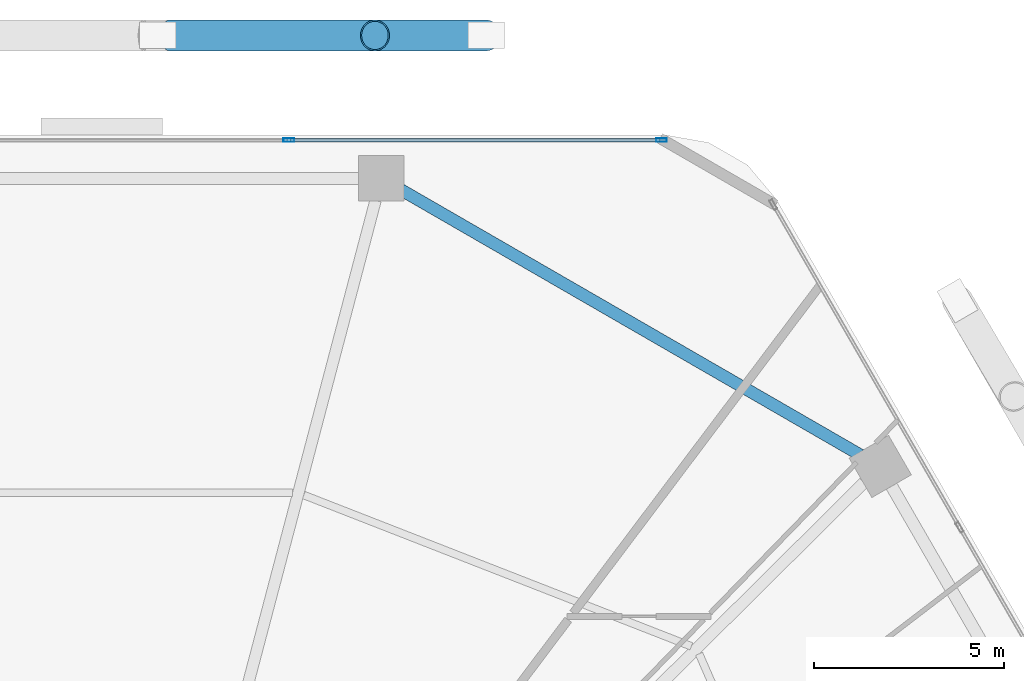
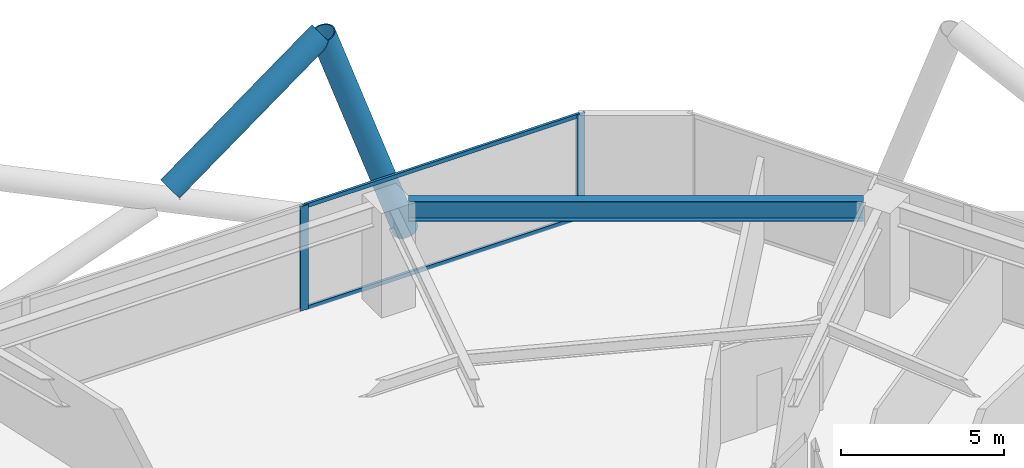
# One storey, part 21 of 30: 6 members, 1 beam, 1 element without a shape of its own.
"""IFC4 building model written with IfcOpenShell, lengths in metres."""

import ifcopenshell
import ifcopenshell.guid

model = None  # the IFC model being written
_history = None  # IfcOwnerHistory: only IFC2X3 demands one
_inside = {}  # id of a spatial element -> (the spatial element, [elements in it])
_under = {}  # id of a project, library or spatial element -> (it, [spatial elements below it])
_declared = {}  # id of a project -> (the project, [libraries it declares])
_typed = {}  # id of a type object -> (the type object, [elements of that type])
_made_of = {}  # id of a material, layer set ... -> (it, [elements and type objects made of it])


def new_model(schema):
    """Start an empty IFC model of exactly this schema.

    Asked for "IFC4X3", IfcOpenShell would pick the latest addendum, in which some entities
    have other attributes; the version numbers below select the first issue.
    IFC2X3 requires an IfcOwnerHistory on every rooted entity: one is made here for all.
    """
    global model, _history
    if schema == "IFC4X3":
        model = ifcopenshell.file(schema_version=(4, 3, 0, 0))
    else:
        model = ifcopenshell.file(schema=schema)
    _inside.clear()
    _under.clear()
    _declared.clear()
    _typed.clear()
    _made_of.clear()
    _history = None
    if model.schema == "IFC2X3":
        org = make("IfcOrganization", Name="unknown")
        user = make(
            "IfcPersonAndOrganization",
            ThePerson=make("IfcPerson", FamilyName="unknown"),
            TheOrganization=org,
        )
        app = make(
            "IfcApplication",
            ApplicationDeveloper=org,
            Version="unknown",
            ApplicationFullName="unknown",
            ApplicationIdentifier="unknown",
        )
        _history = make(
            "IfcOwnerHistory",
            OwningUser=user,
            OwningApplication=app,
            ChangeAction="ADDED",
            CreationDate=0,
        )
    return model


def make(cls, **values):
    """One entity of the class cls with the attributes given. An attribute that is None is left unset."""
    return model.create_entity(
        cls, **{name: value for name, value in values.items() if value is not None}
    )


def rooted(cls, **values):
    """An entity with a GlobalId (a new one), such as an element, a storey or a relation."""
    return make(cls, GlobalId=ifcopenshell.guid.new(), OwnerHistory=_history, **values)


def si_unit(unit_type, name, prefix=None):
    """IfcSIUnit, for example si_unit("LENGTHUNIT", "METRE", prefix="MILLI")."""
    return make("IfcSIUnit", UnitType=unit_type, Prefix=prefix, Name=name)


def assignment(units):
    """IfcUnitAssignment: the units of a project."""
    return None if units is None else make("IfcUnitAssignment", Units=units)


def point(xyz):
    """IfcCartesianPoint."""
    return None if xyz is None else make("IfcCartesianPoint", Coordinates=xyz)


def direction(xyz):
    """IfcDirection."""
    return None if xyz is None else make("IfcDirection", DirectionRatios=xyz)


def frame(location, z_axis=None, x_axis=None):
    """IfcAxis2Placement3D, a coordinate frame: its origin and axes. An axis left out is left unset."""
    return make(
        "IfcAxis2Placement3D",
        Location=point(location),
        Axis=direction(z_axis),
        RefDirection=direction(x_axis),
    )


def frame_2d(location, x_axis=None):
    """IfcAxis2Placement2D, a coordinate frame in the plane: its origin and x axis."""
    return make(
        "IfcAxis2Placement2D", Location=point(location), RefDirection=direction(x_axis)
    )


def origin():
    """The frame at (0, 0, 0) with its axes left unset."""
    return frame((0.0, 0.0, 0.0))


def origin_2d():
    """The frame at (0, 0) in the plane with its x axis left unset."""
    return frame_2d((0.0, 0.0))


def place(relative_to, where):
    """IfcLocalPlacement: puts the frame where relative to a parent placement (None: the world)."""
    return make(
        "IfcLocalPlacement", PlacementRelTo=relative_to, RelativePlacement=where
    )


def context(
    kind, dimensions, precision=None, world=None, true_north=None, identifier=None
):
    """IfcGeometricRepresentationContext, for example the 3D "Model" context."""
    return make(
        "IfcGeometricRepresentationContext",
        ContextIdentifier=identifier,
        ContextType=kind,
        CoordinateSpaceDimension=dimensions,
        Precision=precision,
        WorldCoordinateSystem=world,
        TrueNorth=true_north,
    )


def subcontext(parent, identifier, kind, view, scale=None):
    """IfcGeometricRepresentationSubContext, for example "Body" below "Model"."""
    return make(
        "IfcGeometricRepresentationSubContext",
        ContextIdentifier=identifier,
        ContextType=kind,
        ParentContext=parent,
        TargetScale=scale,
        TargetView=view,
    )


def project(units=None, contexts=None):
    """IfcProject with its units and contexts."""
    return rooted(
        "IfcProject",
        Name="project",
        RepresentationContexts=contexts,
        UnitsInContext=assignment(units),
    )


def spatial(cls, under=None, at=None, **own):
    """A site, building, storey or space (cls), placed at a placement, below another one or the project."""
    s = rooted(cls, ObjectPlacement=at, **own)
    if under is not None:
        _under.setdefault(under.id(), (under, []))[1].append(s)
    return s


def profile(cls, at=None, kind="AREA", **sizes):
    """A parametric profile (cls). Its sizes go by their IFC names, for example OverallWidth=200.0."""
    return make(cls, ProfileType=kind, Position=at, **sizes)


def hollow_rectangle(**sizes):
    """IfcRectangleHollowProfileDef."""
    return profile("IfcRectangleHollowProfileDef", **sizes)


def hollow_circle(**sizes):
    """IfcCircleHollowProfileDef."""
    return profile("IfcCircleHollowProfileDef", **sizes)


def i_section(**sizes):
    """IfcIShapeProfileDef."""
    return profile("IfcIShapeProfileDef", **sizes)


def extrude(swept, where, along, depth):
    """IfcExtrudedAreaSolid: the profile swept, set in the frame where, extruded along a direction by depth."""
    return make(
        "IfcExtrudedAreaSolid",
        SweptArea=swept,
        Position=where,
        ExtrudedDirection=direction(along),
        Depth=depth,
    )


def shape(context_of_items, identifier, shape_type, items):
    """IfcShapeRepresentation: the items that make up one representation, for example the "Body"."""
    return make(
        "IfcShapeRepresentation",
        ContextOfItems=context_of_items,
        RepresentationIdentifier=identifier,
        RepresentationType=shape_type,
        Items=items,
    )


def material(Name=None, Category=None):
    """IfcMaterial."""
    return make("IfcMaterial", Name=Name, Category=Category)


def material_profile(
    of_material, cross_section, Name=None, Category=None, Priority=None
):
    """IfcMaterialProfile: a cross section and its material."""
    return make(
        "IfcMaterialProfile",
        Name=Name,
        Material=of_material,
        Profile=cross_section,
        Priority=Priority,
        Category=Category,
    )


def profile_set(profiles, Name=None, composite=None):
    """IfcMaterialProfileSet."""
    return make(
        "IfcMaterialProfileSet",
        Name=Name,
        MaterialProfiles=profiles,
        CompositeProfile=composite,
    )


def made_of(thing, what):
    """Note that an element or type object is made of a material, layer set ...; save() writes the relation."""
    if what is not None:
        _made_of.setdefault(what.id(), (what, []))[1].append(thing)
    return thing


def type_object(cls, material=None, **own):
    """A type object (cls), such as IfcWallType, which elements share."""
    return made_of(rooted(cls, **own), material)


def element(
    cls,
    number,
    at=None,
    inside=None,
    cuts=None,
    type_object=None,
    material=None,
    context=None,
    identifier="Body",
    shape_type=None,
    held_by="IfcProductDefinitionShape",
    body=None,
    shapes=None,
    **own,
):
    """One element of the class cls, such as IfcWall. Its Tag is "e" and its number.

    at: its placement. inside: the storey or other place that contains it. cuts: it is an
    opening in that element (IfcRelVoidsElement). A single representation is given by context,
    identifier, shape_type and body (its items); several are given by shapes. held_by: the class
    of the entity that holds the representations. save() writes the other relations.
    """
    e = rooted(cls, Tag="e%d" % number, ObjectPlacement=at, **own)
    if body is not None:
        shapes = [shape(context, identifier, shape_type, body)]
    if shapes is not None:
        e.Representation = make(held_by, Representations=shapes)
    if inside is not None:
        _inside.setdefault(inside.id(), (inside, []))[1].append(e)
    if cuts is not None:
        rooted(
            "IfcRelVoidsElement", RelatingBuildingElement=cuts, RelatedOpeningElement=e
        )
    if type_object is not None:
        _typed.setdefault(type_object.id(), (type_object, []))[1].append(e)
    return made_of(e, material)


def aggregate(whole, parts):
    """IfcRelAggregates: a whole, such as a stair, and the parts it consists of."""
    return rooted("IfcRelAggregates", RelatingObject=whole, RelatedObjects=parts)


def save(model, path):
    """Write the relations noted so far, then the file.

    IfcRelAggregates (storeys below a building ...), IfcRelContainedInSpatialStructure (elements
    in a storey), IfcRelDefinesByType, IfcRelAssociatesMaterial and IfcRelDeclares: one each for
    every whole, place, type object, material and project.
    """
    for whole, parts in _under.values():
        aggregate(whole, parts)
    for where, things in _inside.values():
        rooted(
            "IfcRelContainedInSpatialStructure",
            RelatedElements=things,
            RelatingStructure=where,
        )
    for kind, things in _typed.values():
        rooted("IfcRelDefinesByType", RelatedObjects=things, RelatingType=kind)
    for what, things in _made_of.values():
        rooted("IfcRelAssociatesMaterial", RelatedObjects=things, RelatingMaterial=what)
    for by, libraries in _declared.values():
        rooted("IfcRelDeclares", RelatingContext=by, RelatedDefinitions=libraries)
    model.write(path)


model = new_model("IFC4")

# Units and contexts
model_context = context("Model", 3, precision=1e-05, world=origin(), true_north=direction((0.0, 1.0)))
body_context = subcontext(model_context, "Body", "Model", "MODEL_VIEW")
ifc_project = project(units=[si_unit("LENGTHUNIT", "METRE"), si_unit("AREAUNIT", "SQUARE_METRE"), si_unit("VOLUMEUNIT", "CUBIC_METRE"), si_unit("PLANEANGLEUNIT", "RADIAN"), si_unit("MASSUNIT", "GRAM", prefix="KILO")], contexts=[model_context])

# Site, building, storey
site_placement = place(None, origin())
site = spatial("IfcSite", under=ifc_project, at=site_placement, CompositionType="ELEMENT")
building_placement = place(site_placement, origin())
building = spatial("IfcBuilding", under=site, at=building_placement, Name="Zuhravey Tower", CompositionType="ELEMENT")
storey_placement = place(building_placement, frame((0.0, 0.0, 58.199951171875)))
storey = spatial("IfcBuildingStorey", under=building, at=storey_placement, Name="L14", CompositionType="ELEMENT", Elevation=58.199951171875)

# Curtain wall, members
ifc_material_1 = material(Name="Thermally broken anodised aluminium", Category="aluminium")
curtain_wall_type = type_object("IfcCurtainWallType", Name="School Low-E Unitised Curtain Wall CW1", PredefinedType="NOTDEFINED", material=ifc_material_1)
curtain_wall_placement = place(storey_placement, origin())
curtain_wall = element("IfcCurtainWall", 1, at=curtain_wall_placement, inside=storey, type_object=curtain_wall_type, Name="L14 CW1 CW-L14-F2-1", PredefinedType="NOTDEFINED")
ifc_material_2 = material(Name="Anodised aluminium", Category="aluminium")
ifc_material_profile_1 = material_profile(ifc_material_2, hollow_rectangle(XDim=0.090087890625, YDim=0.284912109375, WallThickness=0.0048828125, at=origin_2d()), Name="ALU-RHS-90x285x5")
ifc_profile_set_1 = profile_set([ifc_material_profile_1], Name="Anodised aluminium")
member_type_1 = type_object("IfcMemberType", Name="Curtain-Wall Mullion 90x180", PredefinedType="MULLION", material=ifc_profile_set_1)
member_1_placement = place(storey_placement, frame((40.93310546875, 60.95849609375, 0.0), z_axis=(0.0, 0.0, 1.0), x_axis=(0.0, 1.0, 0.0)))
member_1 = element("IfcMember", 2, at=member_1_placement, type_object=member_type_1, Name="CW1 mullion 3", PredefinedType="MULLION", context=body_context, shape_type="SweptSolid", body=[
    extrude(hollow_rectangle(XDim=0.090087890625, YDim=0.284912109375, WallThickness=0.0048828125, at=origin_2d()), origin(), (0.0, 0.0, 1.0), 3.920166015625),
])
member_2_placement = place(storey_placement, frame((50.75439453125, 60.95849609375, 0.0), z_axis=(0.0, 0.0, 1.0), x_axis=(0.0, 1.0, 0.0)))
member_2 = element("IfcMember", 3, at=member_2_placement, type_object=member_type_1, Name="CW1 mullion 4", PredefinedType="MULLION", context=body_context, shape_type="SweptSolid", body=[
    extrude(hollow_rectangle(XDim=0.090087890625, YDim=0.284912109375, WallThickness=0.0048828125, at=origin_2d()), origin(), (0.0, 0.0, 1.0), 3.920166015625),
])
ifc_material_profile_2 = material_profile(ifc_material_2, hollow_rectangle(XDim=0.090087890625, YDim=0.14990234375, WallThickness=0.0048828125, at=origin_2d()), Name="ALU-RHS-90x150x5")
ifc_profile_set_2 = profile_set([ifc_material_profile_2], Name="Anodised aluminium")
member_type_2 = type_object("IfcMemberType", Name="Curtain-Wall Transom 90x150", PredefinedType="USERDEFINED", material=ifc_profile_set_2)
member_3_placement = place(storey_placement, frame((40.978271484375, 60.95849609375, 0.045166015625), z_axis=(1.0, 0.0, 0.0), x_axis=(0.0, 1.0, 0.0)))
member_3 = element("IfcMember", 4, at=member_3_placement, type_object=member_type_2, Name="CW1 transom 3.1", ObjectType="TRANSOM", PredefinedType="USERDEFINED", context=body_context, shape_type="SweptSolid", body=[
    extrude(hollow_rectangle(XDim=0.090087890625, YDim=0.14990234375, WallThickness=0.0048828125, at=origin_2d()), origin(), (0.0, 0.0, 1.0), 9.731201171875),
])
member_4_placement = place(storey_placement, frame((40.978271484375, 60.95849609375, 3.875), z_axis=(1.0, 0.0, 0.0), x_axis=(0.0, 1.0, 0.0)))
member_4 = element("IfcMember", 5, at=member_4_placement, type_object=member_type_2, Name="CW1 transom 3.2", ObjectType="TRANSOM", PredefinedType="USERDEFINED", context=body_context, shape_type="SweptSolid", body=[
    extrude(hollow_rectangle(XDim=0.090087890625, YDim=0.14990234375, WallThickness=0.0048828125, at=origin_2d()), origin(), (0.0, 0.0, 1.0), 9.731201171875),
])
aggregate(curtain_wall, [member_1, member_2, member_3, member_4])

# Members
ifc_material_3 = material(Name="Steel SM460", Category="steel")
ifc_material_profile_3 = material_profile(ifc_material_3, hollow_circle(Radius=0.406494140625, WallThickness=0.035888671875, at=origin_2d()), Name="CHS-812.8x36")
ifc_profile_set_3 = profile_set([ifc_material_profile_3], Name="Steel SM460")
member_type_3 = type_object("IfcMemberType", Name="Exoskeleton Zone 1 Diagrid CHS813x36", PredefinedType="BRACE", material=ifc_profile_set_3)
member_5_placement = place(storey_placement, frame((46.129150390625, 63.718505859375, -0.471923828125), z_axis=(-0.330642732694, 0.0, 0.943755997764), x_axis=(0.0, -1.0, 0.0)))
element("IfcMember", 6, at=member_5_placement, inside=storey, type_object=member_type_3, Name="L14 Face 2 Diagrid Brace 1", PredefinedType="BRACE", context=body_context, shape_type="SweptSolid", body=[
    extrude(hollow_circle(Radius=0.406494140625, WallThickness=0.035888671875, at=origin_2d()), origin(), (0.0, 0.0, 1.0), 8.85400390625),
])
member_6_placement = place(storey_placement, frame((37.791259765625, 63.718505859375, 3.940673828125), z_axis=(0.806163372301, 0.0, 0.59169300922), x_axis=(0.0, 1.0, 0.0)))
element("IfcMember", 7, at=member_6_placement, inside=storey, type_object=member_type_3, Name="L14 Face 2 Split Diagrid Brace 3B", PredefinedType="BRACE", context=body_context, shape_type="SweptSolid", body=[
    extrude(hollow_circle(Radius=0.406494140625, WallThickness=0.035888671875, at=origin_2d()), origin(), (0.0, 0.0, 1.0), 6.6513671875),
])

# Beam
ifc_material_4 = material(Name="Steel SM355", Category="steel")
ifc_material_profile_4 = material_profile(ifc_material_4, i_section(OverallWidth=0.320068359375, OverallDepth=0.75, WebThickness=0.013916015625, FlangeThickness=0.02490234375, at=origin_2d()), Name="H-750x320x14x25")
ifc_profile_set_4 = profile_set([ifc_material_profile_4], Name="Steel SM355")
beam_type = type_object("IfcBeamType", Name="Perimeter Ring Beam H750x320", PredefinedType="BEAM", material=ifc_profile_set_4)
beam_placement = place(storey_placement, frame((55.996826171875, 52.658447265625, 3.545166015625), z_axis=(-0.866029969761, 0.499992091414, 0.0), x_axis=(-0.499992091414, -0.866029969761, 0.0)))
element("IfcBeam", 8, at=beam_placement, inside=storey, type_object=beam_type, Name="L14 PB1 BM-L14-PB-02", PredefinedType="BEAM", context=body_context, shape_type="SweptSolid", body=[
    extrude(i_section(OverallWidth=0.320068359375, OverallDepth=0.75, WebThickness=0.013916015625, FlangeThickness=0.02490234375, at=origin_2d()), origin(), (0.0, 0.0, 1.0), 13.977294921875),
])

save(model, "model.ifc")
